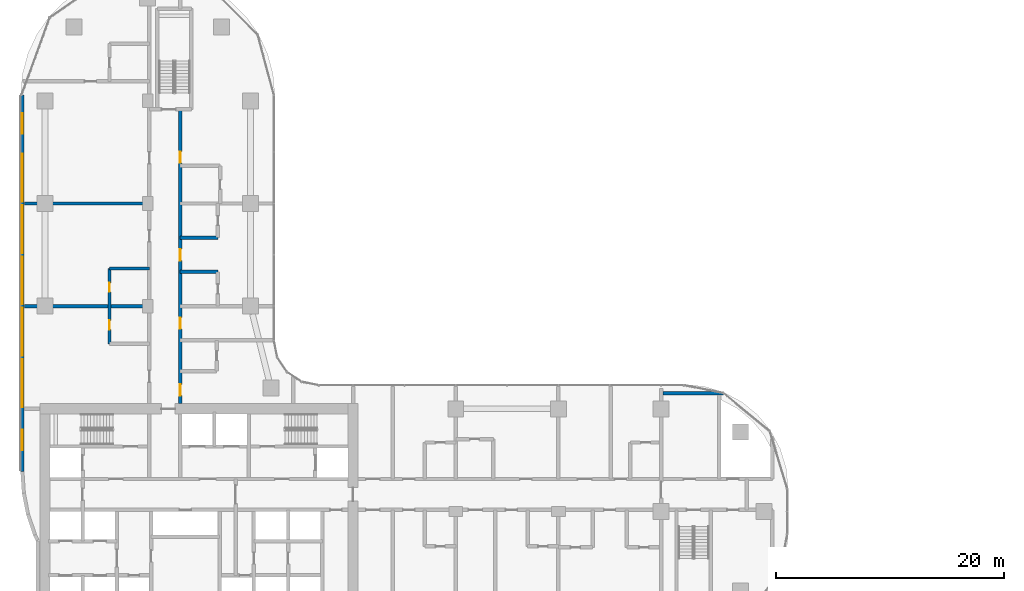
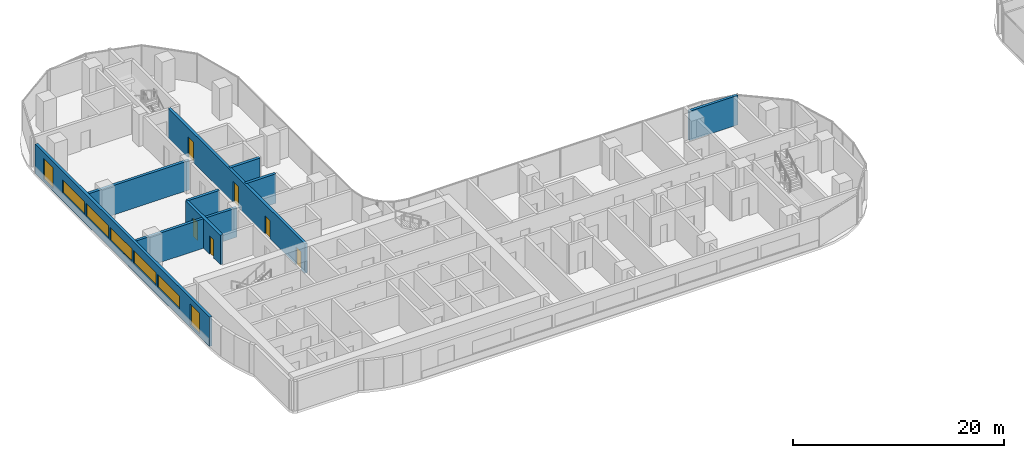
# One storey, part 19 of 32: 9 walls, 7 windows, 6 doors, 13 openings.
"""IFC4 building model written with IfcOpenShell, lengths in metres."""

from ifc_helpers import new_model, si_unit, direction, frame, frame_2d, origin, place, context, subcontext, project, spatial, rectangle, extrude, material, layer, layer_set, type_object, element, fill, save


model = new_model("IFC4")

# Units and contexts
model_context = context("Model", 3, precision=1e-05, world=origin(), true_north=direction((0.0, 1.0)))
body_context = subcontext(model_context, "Body", "Model", "MODEL_VIEW")
ifc_project = project(units=[si_unit("LENGTHUNIT", "METRE"), si_unit("AREAUNIT", "SQUARE_METRE"), si_unit("VOLUMEUNIT", "CUBIC_METRE"), si_unit("PLANEANGLEUNIT", "RADIAN"), si_unit("MASSUNIT", "GRAM", prefix="KILO")], contexts=[model_context])

# Site, building, storey
site_placement = place(None, origin())
site = spatial("IfcSite", under=ifc_project, at=site_placement, CompositionType="ELEMENT")
building_placement = place(site_placement, origin())
building = spatial("IfcBuilding", under=site, at=building_placement, Name="Ogive Portal Towers", CompositionType="ELEMENT")
storey_placement = place(building_placement, frame((0.0, 0.0, 59.39990234375)))
storey = spatial("IfcBuildingStorey", under=building, at=storey_placement, Name="L13", CompositionType="ELEMENT", Elevation=59.39990234375)

# Wall, openings, windows
ifc_material_1 = material(Name="Limestone cladding on lightweight block wall", Category="masonry")
ifc_layer_1 = layer(ifc_material_1, 0.300048828125)
ifc_layer_set_1 = layer_set([ifc_layer_1], Name="EXTERNAL WALL 300 STONE")
wall_type_1 = type_object("IfcWallType", Name="EXTERNAL WALL 300 STONE", PredefinedType="SOLIDWALL", material=ifc_layer_set_1)
wall_1_placement = place(storey_placement, frame((29.5048828125, 66.98583984375, 0.0), z_axis=(0.0, 0.0, 1.0), x_axis=(0.0, -1.0, 0.0)))
wall_1 = element("IfcWall", 1, at=wall_1_placement, inside=storey, type_object=wall_type_1, Name="A:L13:f28:r0:wall", PredefinedType="SOLIDWALL", context=body_context, shape_type="SweptSolid", body=[
    extrude(rectangle(XDim=32.97607421875, YDim=0.300048828125, at=frame_2d((16.488037109375, 0.0))), origin(), (0.0, 0.0, 1.0), 3.400146484375),
])
opening_1_placement = place(wall_1_placement, frame((1.593017578125, 0.0, 0.300048828125)))
opening_1 = element("IfcOpeningElement", 2, at=opening_1_placement, cuts=wall_1, Name="Opening WN10", PredefinedType="OPENING", context=body_context, shape_type="SweptSolid", body=[
    extrude(rectangle(XDim=1.800048828125, YDim=2.39990234375, at=frame_2d((0.89990234375, 1.199951171875))), frame((0.0, 0.16015625, 0.0), z_axis=(0.0, -1.0, 0.0), x_axis=(1.0, 0.0, 0.0)), (0.0, 0.0, 1.0), 0.320068359375),
])
opening_2_placement = place(wall_1_placement, frame((5.135986328125, 0.0, 0.89990234375)))
opening_2 = element("IfcOpeningElement", 3, at=opening_2_placement, cuts=wall_1, Name="Opening WN11", PredefinedType="OPENING", context=body_context, shape_type="SweptSolid", body=[
    extrude(rectangle(XDim=4.199951171875, YDim=1.5, at=frame_2d((2.10009765625, 0.75))), frame((0.0, 0.16015625, 0.0), z_axis=(0.0, -1.0, 0.0), x_axis=(1.0, 0.0, 0.0)), (0.0, 0.0, 1.0), 0.320068359375),
])
opening_3_placement = place(wall_1_placement, frame((9.635986328125, 0.0, 0.89990234375)))
opening_3 = element("IfcOpeningElement", 4, at=opening_3_placement, cuts=wall_1, Name="Opening WN11", PredefinedType="OPENING", context=body_context, shape_type="SweptSolid", body=[
    extrude(rectangle(XDim=4.199951171875, YDim=1.5, at=frame_2d((2.10009765625, 0.75))), frame((0.0, 0.16015625, 0.0), z_axis=(0.0, -1.0, 0.0), x_axis=(1.0, 0.0, 0.0)), (0.0, 0.0, 1.0), 0.320068359375),
])
opening_4_placement = place(wall_1_placement, frame((14.135986328125, 0.0, 0.89990234375)))
opening_4 = element("IfcOpeningElement", 5, at=opening_4_placement, cuts=wall_1, Name="Opening WN11", PredefinedType="OPENING", context=body_context, shape_type="SweptSolid", body=[
    extrude(rectangle(XDim=4.199951171875, YDim=1.5, at=frame_2d((2.10009765625, 0.75))), frame((0.0, 0.16015625, 0.0), z_axis=(0.0, -1.0, 0.0), x_axis=(1.0, 0.0, 0.0)), (0.0, 0.0, 1.0), 0.320068359375),
])
opening_5_placement = place(wall_1_placement, frame((18.635986328125, 0.0, 0.89990234375)))
opening_5 = element("IfcOpeningElement", 6, at=opening_5_placement, cuts=wall_1, Name="Opening WN11", PredefinedType="OPENING", context=body_context, shape_type="SweptSolid", body=[
    extrude(rectangle(XDim=4.199951171875, YDim=1.5, at=frame_2d((2.10009765625, 0.75))), frame((0.0, 0.16015625, 0.0), z_axis=(0.0, -1.0, 0.0), x_axis=(1.0, 0.0, 0.0)), (0.0, 0.0, 1.0), 0.320068359375),
])
opening_6_placement = place(wall_1_placement, frame((23.135986328125, 0.0, 0.89990234375)))
opening_6 = element("IfcOpeningElement", 7, at=opening_6_placement, cuts=wall_1, Name="Opening WN11", PredefinedType="OPENING", context=body_context, shape_type="SweptSolid", body=[
    extrude(rectangle(XDim=4.199951171875, YDim=1.5, at=frame_2d((2.10009765625, 0.75))), frame((0.0, 0.16015625, 0.0), z_axis=(0.0, -1.0, 0.0), x_axis=(1.0, 0.0, 0.0)), (0.0, 0.0, 1.0), 0.320068359375),
])
opening_7_placement = place(wall_1_placement, frame((29.3310546875, 0.0, 0.300048828125)))
opening_7 = element("IfcOpeningElement", 8, at=opening_7_placement, cuts=wall_1, Name="Opening WN10", PredefinedType="OPENING", context=body_context, shape_type="SweptSolid", body=[
    extrude(rectangle(XDim=1.800048828125, YDim=2.39990234375, at=frame_2d((0.89990234375, 1.199951171875))), frame((0.0, 0.16015625, 0.0), z_axis=(0.0, -1.0, 0.0), x_axis=(1.0, 0.0, 0.0)), (0.0, 0.0, 1.0), 0.320068359375),
])
ifc_material_2 = material(Name="Glass, clear low-iron insulated glazing", Category="glass")
window_type_1 = type_object("IfcWindowType", Name="WINDOW RIBBON 4200x1500", PartitioningType="TRIPLE_PANEL_VERTICAL", PredefinedType="WINDOW", material=ifc_material_2)
window_1_placement = place(opening_2_placement, origin())
window_1 = element("IfcWindow", 9, at=window_1_placement, inside=storey, type_object=window_type_1, Name="A:L13:f28:r0:w1", OverallHeight=1.5, OverallWidth=4.199951171875, PartitioningType="SINGLE_PANEL", PredefinedType="WINDOW", context=body_context, shape_type="SweptSolid", body=[
    extrude(rectangle(XDim=4.199951171875, YDim=1.5, at=frame_2d((2.10009765625, 0.75))), frame((0.0, 0.030029296875, 0.0), z_axis=(0.0, -1.0, 0.0), x_axis=(1.0, 0.0, 0.0)), (0.0, 0.0, 1.0), 0.06005859375),
])
fill(opening_2, window_1)
window_2_placement = place(opening_3_placement, origin())
window_2 = element("IfcWindow", 10, at=window_2_placement, inside=storey, type_object=window_type_1, Name="A:L13:f28:r0:w2", OverallHeight=1.5, OverallWidth=4.199951171875, PartitioningType="SINGLE_PANEL", PredefinedType="WINDOW", context=body_context, shape_type="SweptSolid", body=[
    extrude(rectangle(XDim=4.199951171875, YDim=1.5, at=frame_2d((2.10009765625, 0.75))), frame((0.0, 0.030029296875, 0.0), z_axis=(0.0, -1.0, 0.0), x_axis=(1.0, 0.0, 0.0)), (0.0, 0.0, 1.0), 0.06005859375),
])
fill(opening_3, window_2)
window_3_placement = place(opening_4_placement, origin())
window_3 = element("IfcWindow", 11, at=window_3_placement, inside=storey, type_object=window_type_1, Name="A:L13:f28:r0:w3", OverallHeight=1.5, OverallWidth=4.199951171875, PartitioningType="SINGLE_PANEL", PredefinedType="WINDOW", context=body_context, shape_type="SweptSolid", body=[
    extrude(rectangle(XDim=4.199951171875, YDim=1.5, at=frame_2d((2.10009765625, 0.75))), frame((0.0, 0.030029296875, 0.0), z_axis=(0.0, -1.0, 0.0), x_axis=(1.0, 0.0, 0.0)), (0.0, 0.0, 1.0), 0.06005859375),
])
fill(opening_4, window_3)
window_4_placement = place(opening_5_placement, origin())
window_4 = element("IfcWindow", 12, at=window_4_placement, inside=storey, type_object=window_type_1, Name="A:L13:f28:r0:w4", OverallHeight=1.5, OverallWidth=4.199951171875, PartitioningType="SINGLE_PANEL", PredefinedType="WINDOW", context=body_context, shape_type="SweptSolid", body=[
    extrude(rectangle(XDim=4.199951171875, YDim=1.5, at=frame_2d((2.10009765625, 0.75))), frame((0.0, 0.030029296875, 0.0), z_axis=(0.0, -1.0, 0.0), x_axis=(1.0, 0.0, 0.0)), (0.0, 0.0, 1.0), 0.06005859375),
])
fill(opening_5, window_4)
window_5_placement = place(opening_6_placement, origin())
window_5 = element("IfcWindow", 13, at=window_5_placement, inside=storey, type_object=window_type_1, Name="A:L13:f28:r0:w5", OverallHeight=1.5, OverallWidth=4.199951171875, PartitioningType="SINGLE_PANEL", PredefinedType="WINDOW", context=body_context, shape_type="SweptSolid", body=[
    extrude(rectangle(XDim=4.199951171875, YDim=1.5, at=frame_2d((2.10009765625, 0.75))), frame((0.0, 0.030029296875, 0.0), z_axis=(0.0, -1.0, 0.0), x_axis=(1.0, 0.0, 0.0)), (0.0, 0.0, 1.0), 0.06005859375),
])
fill(opening_6, window_5)
window_type_2 = type_object("IfcWindowType", Name="WINDOW SUITE CORNER 1800x2400", PartitioningType="DOUBLE_PANEL_VERTICAL", PredefinedType="WINDOW", material=ifc_material_2)
window_6_placement = place(opening_1_placement, origin())
window_6 = element("IfcWindow", 14, at=window_6_placement, inside=storey, type_object=window_type_2, Name="A:L13:f28:r0:w0", OverallHeight=2.39990234375, OverallWidth=1.800048828125, PartitioningType="SINGLE_PANEL", PredefinedType="WINDOW", context=body_context, shape_type="SweptSolid", body=[
    extrude(rectangle(XDim=1.800048828125, YDim=2.39990234375, at=frame_2d((0.89990234375, 1.199951171875))), frame((0.0, 0.030029296875, 0.0), z_axis=(0.0, -1.0, 0.0), x_axis=(1.0, 0.0, 0.0)), (0.0, 0.0, 1.0), 0.06005859375),
])
fill(opening_1, window_6)
window_7_placement = place(opening_7_placement, origin())
window_7 = element("IfcWindow", 15, at=window_7_placement, inside=storey, type_object=window_type_2, Name="A:L13:f28:r0:w6", OverallHeight=2.39990234375, OverallWidth=1.800048828125, PartitioningType="SINGLE_PANEL", PredefinedType="WINDOW", context=body_context, shape_type="SweptSolid", body=[
    extrude(rectangle(XDim=1.800048828125, YDim=2.39990234375, at=frame_2d((0.89990234375, 1.199951171875))), frame((0.0, 0.030029296875, 0.0), z_axis=(0.0, -1.0, 0.0), x_axis=(1.0, 0.0, 0.0)), (0.0, 0.0, 1.0), 0.06005859375),
])
fill(opening_7, window_7)

# Walls
ifc_material_3 = material(Name="Gypsum board partition on steel studs", Category="steel")
ifc_layer_2 = layer(ifc_material_3, 0.300048828125)
ifc_layer_set_2 = layer_set([ifc_layer_2], Name="WT-PART-300-EI 60")
wall_type_2 = type_object("IfcWallType", Name="WT-PART-300-EI 60", PredefinedType="PARTITIONING", material=ifc_layer_set_2)
wall_2_placement = place(storey_placement, frame((85.669921875, 40.85009765625, 0.0), z_axis=(0.0, 0.0, 1.0), x_axis=(1.0, 0.0, 0.0)))
element("IfcWall", 16, at=wall_2_placement, inside=storey, type_object=wall_type_2, Name="Wall L13:w014", PredefinedType="PARTITIONING", context=body_context, shape_type="SweptSolid", body=[
    extrude(rectangle(XDim=5.2919921875, YDim=0.300048828125, at=frame_2d((2.64599609375, 0.0))), origin(), (0.0, 0.0, 1.0), 3.400146484375),
])
wall_3_placement = place(storey_placement, frame((29.705078125, 48.5, 0.0), z_axis=(0.0, 0.0, 1.0), x_axis=(1.0, 0.0, 0.0)))
element("IfcWall", 17, at=wall_3_placement, inside=storey, type_object=wall_type_2, Name="Wall L13:w018", PredefinedType="PARTITIONING", context=body_context, shape_type="SweptSolid", body=[
    extrude(rectangle(XDim=10.94482421875, YDim=0.300048828125, at=frame_2d((5.472412109375, 0.0))), origin(), (0.0, 0.0, 1.0), 3.400146484375),
])
wall_4_placement = place(storey_placement, frame((43.35009765625, 51.5, 0.0), z_axis=(0.0, 0.0, 1.0), x_axis=(1.0, 0.0, 0.0)))
element("IfcWall", 18, at=wall_4_placement, inside=storey, type_object=wall_type_2, Name="Wall L13:w020", PredefinedType="PARTITIONING", context=body_context, shape_type="SweptSolid", body=[
    extrude(rectangle(XDim=3.2998046875, YDim=0.300048828125, at=frame_2d((1.64990234375, 0.0))), origin(), (0.0, 0.0, 1.0), 3.400146484375),
])
wall_5_placement = place(storey_placement, frame((37.14990234375, 51.800048828125, 0.0), z_axis=(0.0, 0.0, 1.0), x_axis=(1.0, 0.0, 0.0)))
element("IfcWall", 19, at=wall_5_placement, inside=storey, type_object=wall_type_2, Name="Wall L13:w021", PredefinedType="PARTITIONING", context=body_context, shape_type="SweptSolid", body=[
    extrude(rectangle(XDim=3.5, YDim=0.300048828125, at=frame_2d((1.75, 0.0))), origin(), (0.0, 0.0, 1.0), 3.400146484375),
])
wall_6_placement = place(storey_placement, frame((43.35009765625, 54.5, 0.0), z_axis=(0.0, 0.0, 1.0), x_axis=(1.0, 0.0, 0.0)))
element("IfcWall", 20, at=wall_6_placement, inside=storey, type_object=wall_type_2, Name="Wall L13:w022", PredefinedType="PARTITIONING", context=body_context, shape_type="SweptSolid", body=[
    extrude(rectangle(XDim=3.2998046875, YDim=0.300048828125, at=frame_2d((1.64990234375, 0.0))), origin(), (0.0, 0.0, 1.0), 3.400146484375),
])
wall_7_placement = place(storey_placement, frame((29.705078125, 57.5, 0.0), z_axis=(0.0, 0.0, 1.0), x_axis=(1.0, 0.0, 0.0)))
element("IfcWall", 21, at=wall_7_placement, inside=storey, type_object=wall_type_2, Name="Wall L13:w023", PredefinedType="PARTITIONING", context=body_context, shape_type="SweptSolid", body=[
    extrude(rectangle(XDim=10.94482421875, YDim=0.300048828125, at=frame_2d((5.472412109375, 0.0))), origin(), (0.0, 0.0, 1.0), 3.400146484375),
])

# Wall, openings, doors
wall_8_placement = place(storey_placement, frame((37.14990234375, 45.199951171875, 0.0), z_axis=(0.0, 0.0, 1.0), x_axis=(0.0, 1.0, 0.0)))
wall_8 = element("IfcWall", 22, at=wall_8_placement, inside=storey, type_object=wall_type_2, Name="Wall L13:w031", PredefinedType="PARTITIONING", context=body_context, shape_type="SweptSolid", body=[
    extrude(rectangle(XDim=6.60009765625, YDim=0.300048828125, at=frame_2d((3.300048828125, 0.0))), origin(), (0.0, 0.0, 1.0), 3.400146484375),
])
opening_8_placement = place(wall_8_placement, frame((1.25, 0.0, 0.0)))
opening_8 = element("IfcOpeningElement", 23, at=opening_8_placement, cuts=wall_8, Name="Opening D03-046", PredefinedType="OPENING", context=body_context, shape_type="SweptSolid", body=[
    extrude(rectangle(XDim=0.800048828125, YDim=2.10009765625, at=frame_2d((0.39990234375, 1.050048828125))), frame((0.0, 0.16015625, 0.0), z_axis=(0.0, -1.0, 0.0), x_axis=(1.0, 0.0, 0.0)), (0.0, 0.0, 1.0), 0.320068359375),
])
opening_9_placement = place(wall_8_placement, frame((4.550048828125, 0.0, 0.0)))
opening_9 = element("IfcOpeningElement", 24, at=opening_9_placement, cuts=wall_8, Name="Opening D03-051", PredefinedType="OPENING", context=body_context, shape_type="SweptSolid", body=[
    extrude(rectangle(XDim=0.800048828125, YDim=2.10009765625, at=frame_2d((0.39990234375, 1.050048828125))), frame((0.0, 0.16015625, 0.0), z_axis=(0.0, -1.0, 0.0), x_axis=(1.0, 0.0, 0.0)), (0.0, 0.0, 1.0), 0.320068359375),
])
ifc_material_4 = material(Name="Steel fire door", Category="steel")
door_type_1 = type_object("IfcDoorType", Name="DT-BATH-800x2100-FD60S", OperationType="SINGLE_SWING_LEFT", PredefinedType="DOOR", material=ifc_material_4)
door_1_placement = place(opening_8_placement, origin())
door_1 = element("IfcDoor", 25, at=door_1_placement, inside=storey, type_object=door_type_1, Name="Door D03-046", OperationType="SINGLE_SWING_LEFT", OverallHeight=2.10009765625, OverallWidth=0.800048828125, PredefinedType="DOOR", context=body_context, shape_type="SweptSolid", body=[
    extrude(rectangle(XDim=0.800048828125, YDim=2.10009765625, at=frame_2d((0.39990234375, 1.050048828125))), frame((0.0, 0.02490234375, 0.0), z_axis=(0.0, -1.0, 0.0), x_axis=(1.0, 0.0, 0.0)), (0.0, 0.0, 1.0), 0.050048828125),
])
fill(opening_8, door_1)
door_2_placement = place(opening_9_placement, origin())
door_2 = element("IfcDoor", 26, at=door_2_placement, inside=storey, type_object=door_type_1, Name="Door D03-051", OperationType="SINGLE_SWING_RIGHT", OverallHeight=2.10009765625, OverallWidth=0.800048828125, PredefinedType="DOOR", context=body_context, shape_type="SweptSolid", body=[
    extrude(rectangle(XDim=0.800048828125, YDim=2.10009765625, at=frame_2d((0.39990234375, 1.050048828125))), frame((0.0, 0.02490234375, 0.0), z_axis=(0.0, -1.0, 0.0), x_axis=(1.0, 0.0, 0.0)), (0.0, 0.0, 1.0), 0.050048828125),
])
fill(opening_9, door_2)

ifc_material_5 = material(Name="Concrete C40/50", Category="concrete")
ifc_layer_3 = layer(ifc_material_5, 0.300048828125)
ifc_layer_set_3 = layer_set([ifc_layer_3], Name="WT-SHAFT-300")
wall_type_3 = type_object("IfcWallType", Name="WT-SHAFT-300", PredefinedType="SOLIDWALL", material=ifc_layer_set_3)
wall_9_placement = place(storey_placement, frame((43.35009765625, 39.949951171875, 0.0), z_axis=(0.0, 0.0, 1.0), x_axis=(0.0, 1.0, 0.0)))
wall_9 = element("IfcWall", 27, at=wall_9_placement, inside=storey, type_object=wall_type_3, Name="Wall L13:w035", PredefinedType="SOLIDWALL", context=body_context, shape_type="SweptSolid", body=[
    extrude(rectangle(XDim=25.85009765625, YDim=0.300048828125, at=frame_2d((12.925048828125, 0.0))), origin(), (0.0, 0.0, 1.0), 3.400146484375),
])
opening_10_placement = place(wall_9_placement, frame((0.699951171875, 0.0, 0.0)))
opening_10 = element("IfcOpeningElement", 28, at=opening_10_placement, cuts=wall_9, Name="Opening D03-044", PredefinedType="OPENING", context=body_context, shape_type="SweptSolid", body=[
    extrude(rectangle(XDim=1.0, YDim=2.10009765625, at=frame_2d((0.5, 1.050048828125))), frame((0.0, 0.16015625, 0.0), z_axis=(0.0, -1.0, 0.0), x_axis=(1.0, 0.0, 0.0)), (0.0, 0.0, 1.0), 0.320068359375),
])
opening_11_placement = place(wall_9_placement, frame((6.550048828125, 0.0, 0.0)))
opening_11 = element("IfcOpeningElement", 29, at=opening_11_placement, cuts=wall_9, Name="Opening D03-045", PredefinedType="OPENING", context=body_context, shape_type="SweptSolid", body=[
    extrude(rectangle(XDim=1.0, YDim=2.10009765625, at=frame_2d((0.5, 1.050048828125))), frame((0.0, 0.16015625, 0.0), z_axis=(0.0, -1.0, 0.0), x_axis=(1.0, 0.0, 0.0)), (0.0, 0.0, 1.0), 0.320068359375),
])
opening_12_placement = place(wall_9_placement, frame((12.550048828125, 0.0, 0.0)))
opening_12 = element("IfcOpeningElement", 30, at=opening_12_placement, cuts=wall_9, Name="Opening D03-050", PredefinedType="OPENING", context=body_context, shape_type="SweptSolid", body=[
    extrude(rectangle(XDim=1.0, YDim=2.39990234375, at=frame_2d((0.5, 1.199951171875))), frame((0.0, 0.16015625, 0.0), z_axis=(0.0, -1.0, 0.0), x_axis=(1.0, 0.0, 0.0)), (0.0, 0.0, 1.0), 0.320068359375),
])
opening_13_placement = place(wall_9_placement, frame((21.10009765625, 0.0, 0.0)))
opening_13 = element("IfcOpeningElement", 31, at=opening_13_placement, cuts=wall_9, Name="Opening D03-054", PredefinedType="OPENING", context=body_context, shape_type="SweptSolid", body=[
    extrude(rectangle(XDim=1.0, YDim=2.39990234375, at=frame_2d((0.5, 1.199951171875))), frame((0.0, 0.16015625, 0.0), z_axis=(0.0, -1.0, 0.0), x_axis=(1.0, 0.0, 0.0)), (0.0, 0.0, 1.0), 0.320068359375),
])
door_type_2 = type_object("IfcDoorType", Name="DT-ENTRY-1000x2100-FD90S", OperationType="SINGLE_SWING_LEFT", PredefinedType="DOOR", material=ifc_material_4)
door_3_placement = place(opening_10_placement, origin())
door_3 = element("IfcDoor", 32, at=door_3_placement, inside=storey, type_object=door_type_2, Name="Door D03-044", OperationType="SINGLE_SWING_RIGHT", OverallHeight=2.10009765625, OverallWidth=1.0, PredefinedType="DOOR", context=body_context, shape_type="SweptSolid", body=[
    extrude(rectangle(XDim=1.0, YDim=2.10009765625, at=frame_2d((0.5, 1.050048828125))), frame((0.0, 0.02490234375, 0.0), z_axis=(0.0, -1.0, 0.0), x_axis=(1.0, 0.0, 0.0)), (0.0, 0.0, 1.0), 0.050048828125),
])
fill(opening_10, door_3)
door_4_placement = place(opening_11_placement, origin())
door_4 = element("IfcDoor", 33, at=door_4_placement, inside=storey, type_object=door_type_2, Name="Door D03-045", OperationType="SINGLE_SWING_LEFT", OverallHeight=2.10009765625, OverallWidth=1.0, PredefinedType="DOOR", context=body_context, shape_type="SweptSolid", body=[
    extrude(rectangle(XDim=1.0, YDim=2.10009765625, at=frame_2d((0.5, 1.050048828125))), frame((0.0, 0.02490234375, 0.0), z_axis=(0.0, -1.0, 0.0), x_axis=(1.0, 0.0, 0.0)), (0.0, 0.0, 1.0), 0.050048828125),
])
fill(opening_11, door_4)
door_type_3 = type_object("IfcDoorType", Name="DT-ENTRY-1000x2400-FD90S", OperationType="SINGLE_SWING_LEFT", PredefinedType="DOOR", material=ifc_material_4)
door_5_placement = place(opening_12_placement, origin())
door_5 = element("IfcDoor", 34, at=door_5_placement, inside=storey, type_object=door_type_3, Name="Door D03-050", OperationType="SINGLE_SWING_LEFT", OverallHeight=2.39990234375, OverallWidth=1.0, PredefinedType="DOOR", context=body_context, shape_type="SweptSolid", body=[
    extrude(rectangle(XDim=1.0, YDim=2.39990234375, at=frame_2d((0.5, 1.199951171875))), frame((0.0, 0.02490234375, 0.0), z_axis=(0.0, -1.0, 0.0), x_axis=(1.0, 0.0, 0.0)), (0.0, 0.0, 1.0), 0.050048828125),
])
fill(opening_12, door_5)
door_6_placement = place(opening_13_placement, origin())
door_6 = element("IfcDoor", 35, at=door_6_placement, inside=storey, type_object=door_type_3, Name="Door D03-054", OperationType="SINGLE_SWING_LEFT", OverallHeight=2.39990234375, OverallWidth=1.0, PredefinedType="DOOR", context=body_context, shape_type="SweptSolid", body=[
    extrude(rectangle(XDim=1.0, YDim=2.39990234375, at=frame_2d((0.5, 1.199951171875))), frame((0.0, 0.02490234375, 0.0), z_axis=(0.0, -1.0, 0.0), x_axis=(1.0, 0.0, 0.0)), (0.0, 0.0, 1.0), 0.050048828125),
])
fill(opening_13, door_6)

save(model, "model.ifc")
